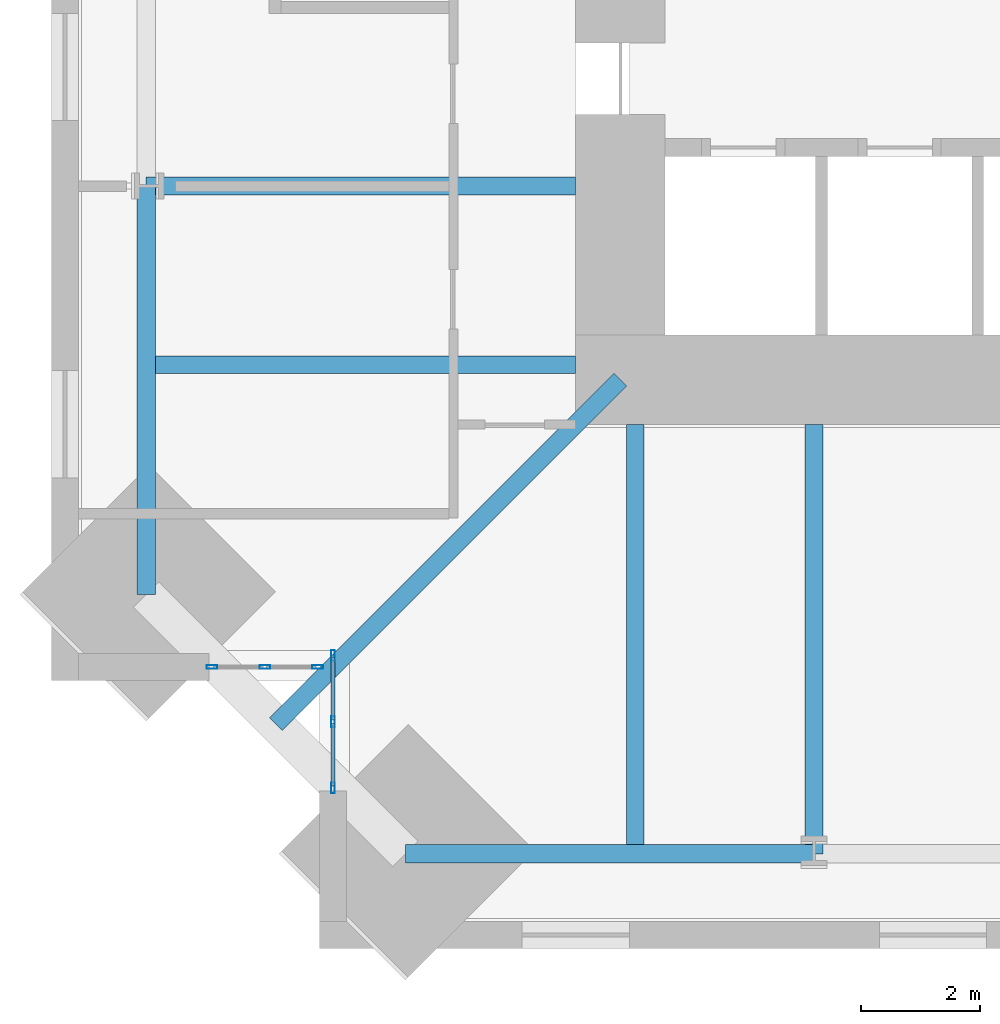
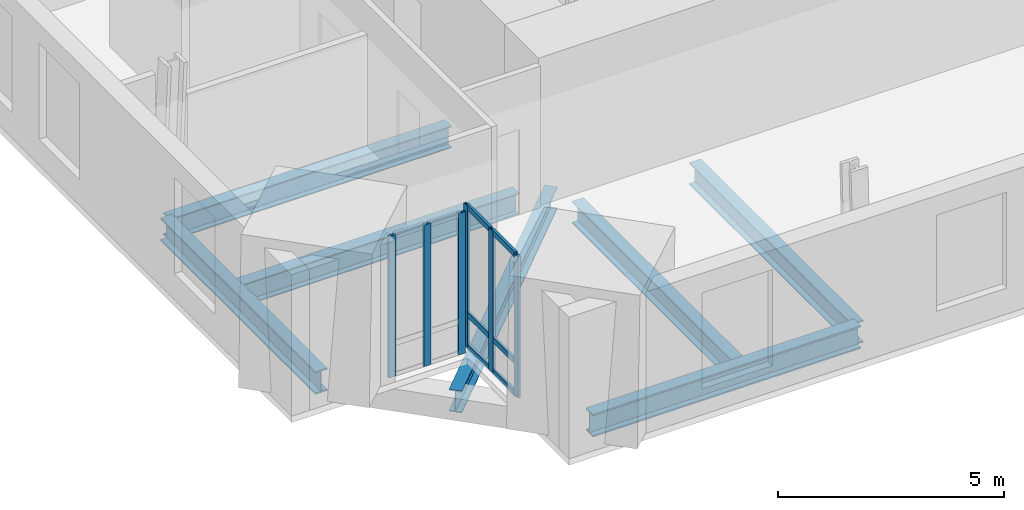
# One storey, part 2 of 15: 12 members, 7 beams, 2 elements without a shape of their own.
"""IFC4 building model written with IfcOpenShell, lengths in metres."""

from ifc_helpers import new_model, si_unit, direction, frame, origin, origin_2d, place, context, subcontext, project, spatial, hollow_rectangle, i_section, extrude, material, material_profile, profile_set, type_object, element, aggregate, save


model = new_model("IFC4")

# Units and contexts
model_context = context("Model", 3, precision=1e-05, world=origin(), true_north=direction((0.0, 1.0)))
body_context = subcontext(model_context, "Body", "Model", "MODEL_VIEW")
ifc_project = project(units=[si_unit("LENGTHUNIT", "METRE"), si_unit("AREAUNIT", "SQUARE_METRE"), si_unit("VOLUMEUNIT", "CUBIC_METRE"), si_unit("PLANEANGLEUNIT", "RADIAN"), si_unit("MASSUNIT", "GRAM", prefix="KILO")], contexts=[model_context])

# Site, building, storey
site_placement = place(None, origin())
site = spatial("IfcSite", under=ifc_project, at=site_placement, CompositionType="ELEMENT")
building_placement = place(site_placement, origin())
building = spatial("IfcBuilding", under=site, at=building_placement, Name="Peilmerk Tower", CompositionType="ELEMENT")
storey_placement = place(building_placement, frame((0.0, 0.0, 289.800048828125)))
storey = spatial("IfcBuildingStorey", under=building, at=storey_placement, Name="L65", CompositionType="ELEMENT", Elevation=289.800048828125)

# Beams
ifc_material_1 = material(Name="Steel S355", Category="steel")
ifc_material_profile_1 = material_profile(ifc_material_1, i_section(OverallWidth=0.300048828125, OverallDepth=0.590087890625, WebThickness=0.012939453125, FlangeThickness=0.02490234375, at=origin_2d()), Name="HEA 600")
ifc_profile_set_1 = profile_set([ifc_material_profile_1], Name="Steel S355")
beam_type_1 = type_object("IfcBeamType", Name="B27 HEA 600 floor beam", PredefinedType="BEAM", material=ifc_profile_set_1)
for number, where, z_axis, x_axis, name in (
    (1, (-11.0, -12.0, -0.465087890625), (0.0, -1.0, 0.0), (1.0, 0.0, 0.0), "Floor beam L65"),
    (2, (-8.0, -12.0, -0.465087890625), (0.0, -1.0, 0.0), (1.0, 0.0, 0.0), "Floor beam L65"),
    (3, (-12.0, -8.0, -0.465087890625), (-1.0, 0.0, 0.0), (0.0, -1.0, 0.0), "Floor beam L65"),
    (4, (-12.0, -11.0, -0.465087890625), (-1.0, 0.0, 0.0), (0.0, -1.0, 0.0), "Floor beam L65"),
):
    element("IfcBeam", number, at=place(storey_placement, frame(where, z_axis=z_axis, x_axis=x_axis)), inside=storey, type_object=beam_type_1, Name=name, PredefinedType="BEAM", context=body_context, shape_type="SweptSolid", body=[
        extrude(i_section(OverallWidth=0.300048828125, OverallDepth=0.590087890625, WebThickness=0.012939453125, FlangeThickness=0.02490234375, at=origin_2d()), origin(), (0.0, 0.0, 1.0), 7.211181640625),
    ])
beam_placement = place(storey_placement, frame((-11.25, -11.25, -0.465087890625), z_axis=(-0.707106781187, -0.707106781187, 0.0), x_axis=(0.707106781187, -0.707106781187, 0.0)))
element("IfcBeam", 5, at=beam_placement, inside=storey, type_object=beam_type_1, Name="Corner girder L65", PredefinedType="BEAM", context=body_context, shape_type="SweptSolid", body=[
    extrude(i_section(OverallWidth=0.300048828125, OverallDepth=0.590087890625, WebThickness=0.012939453125, FlangeThickness=0.02490234375, at=origin_2d()), origin(), (0.0, 0.0, 1.0), 8.18310546875),
])
ifc_material_profile_2 = material_profile(ifc_material_1, i_section(OverallWidth=0.304931640625, OverallDepth=0.6201171875, WebThickness=0.02099609375, FlangeThickness=0.0400390625, at=origin_2d()), Name="HEM 600")
ifc_profile_set_2 = profile_set([ifc_material_profile_2], Name="Steel S355")
beam_type_2 = type_object("IfcBeamType", Name="B31 HEM 600 edge beam", PredefinedType="SPANDREL", material=ifc_profile_set_2)
for number, where, z_axis, x_axis, name in (
    (6, (-14.861328125, -19.211181640625, -0.47998046875), (1.0, 0.0, 0.0), (0.0, 1.0, 0.0), "Edge beam L65"),
    (7, (-19.211181640625, -8.0, -0.47998046875), (0.0, -1.0, 0.0), (1.0, 0.0, 0.0), "Edge beam L65"),
):
    element("IfcBeam", number, at=place(storey_placement, frame(where, z_axis=z_axis, x_axis=x_axis)), inside=storey, type_object=beam_type_2, Name=name, PredefinedType="SPANDREL", context=body_context, shape_type="SweptSolid", body=[
        extrude(i_section(OverallWidth=0.304931640625, OverallDepth=0.6201171875, WebThickness=0.02099609375, FlangeThickness=0.0400390625, at=origin_2d()), origin(), (0.0, 0.0, 1.0), 6.861328125),
    ])

# Curtain wall, members
ifc_material_2 = material(Name="Aluminium stick curtain wall", Category="aluminium")
curtain_wall_type = type_object("IfcCurtainWallType", Name="CW4 stick curtain wall, 2250 module", PredefinedType="NOTDEFINED", material=ifc_material_2)
curtain_wall_1_placement = place(storey_placement, origin())
curtain_wall_1 = element("IfcCurtainWall", 8, at=curtain_wall_1_placement, inside=storey, type_object=curtain_wall_type, Name="Curtain wall CW4 SWA L65", PredefinedType="NOTDEFINED")
ifc_material_3 = material(Name="Aluminium EN AW-6063 T6", Category="aluminium")
ifc_material_profile_3 = material_profile(ifc_material_3, hollow_rectangle(XDim=0.06494140625, YDim=0.179931640625, WallThickness=0.0029296875, at=origin_2d()), Name="AL 180x65x3")
ifc_profile_set_3 = profile_set([ifc_material_profile_3], Name="Aluminium EN AW-6063 T6")
member_type_1 = type_object("IfcMemberType", Name="CW4-M AL 180x65x3 mullion", PredefinedType="MULLION", material=ifc_profile_set_3)
member_1_placement = place(storey_placement, frame((-16.074951171875, -15.882568359375, 0.0), z_axis=(0.0, 0.0, 1.0), x_axis=(1.0, 0.0, 0.0)))
member_1 = element("IfcMember", 9, at=member_1_placement, type_object=member_type_1, Name="CW4 mullion 1", PredefinedType="MULLION", context=body_context, shape_type="SweptSolid", body=[
    extrude(hollow_rectangle(XDim=0.06494140625, YDim=0.179931640625, WallThickness=0.0029296875, at=origin_2d()), origin(), (0.0, 0.0, 1.0), 3.829833984375),
])
member_2_placement = place(storey_placement, frame((-16.074951171875, -16.994384765625, 0.0), z_axis=(0.0, 0.0, 1.0), x_axis=(1.0, 0.0, 0.0)))
member_2 = element("IfcMember", 10, at=member_2_placement, type_object=member_type_1, Name="CW4 mullion 2", PredefinedType="MULLION", context=body_context, shape_type="SweptSolid", body=[
    extrude(hollow_rectangle(XDim=0.06494140625, YDim=0.179931640625, WallThickness=0.0029296875, at=origin_2d()), origin(), (0.0, 0.0, 1.0), 3.829833984375),
])
member_3_placement = place(storey_placement, frame((-16.074951171875, -18.106201171875, 0.0), z_axis=(0.0, 0.0, 1.0), x_axis=(1.0, 0.0, 0.0)))
member_3 = element("IfcMember", 11, at=member_3_placement, type_object=member_type_1, Name="CW4 mullion 3", PredefinedType="MULLION", context=body_context, shape_type="SweptSolid", body=[
    extrude(hollow_rectangle(XDim=0.06494140625, YDim=0.179931640625, WallThickness=0.0029296875, at=origin_2d()), origin(), (0.0, 0.0, 1.0), 3.829833984375),
])

curtain_wall_2_placement = place(storey_placement, origin())
curtain_wall_2 = element("IfcCurtainWall", 12, at=curtain_wall_2_placement, inside=storey, type_object=curtain_wall_type, Name="Curtain wall CW4 SWB L65", PredefinedType="NOTDEFINED")
member_4_placement = place(storey_placement, frame((-16.33251953125, -16.074951171875, 0.0), z_axis=(0.0, 0.0, 1.0), x_axis=(0.0, -1.0, 0.0)))
member_4 = element("IfcMember", 13, at=member_4_placement, type_object=member_type_1, Name="CW4 mullion 1", PredefinedType="MULLION", context=body_context, shape_type="SweptSolid", body=[
    extrude(hollow_rectangle(XDim=0.06494140625, YDim=0.179931640625, WallThickness=0.0029296875, at=origin_2d()), origin(), (0.0, 0.0, 1.0), 3.829833984375),
])
member_5_placement = place(storey_placement, frame((-17.21923828125, -16.074951171875, 0.0), z_axis=(0.0, 0.0, 1.0), x_axis=(0.0, -1.0, 0.0)))
member_5 = element("IfcMember", 14, at=member_5_placement, type_object=member_type_1, Name="CW4 mullion 2", PredefinedType="MULLION", context=body_context, shape_type="SweptSolid", body=[
    extrude(hollow_rectangle(XDim=0.06494140625, YDim=0.179931640625, WallThickness=0.0029296875, at=origin_2d()), origin(), (0.0, 0.0, 1.0), 3.829833984375),
])
member_6_placement = place(storey_placement, frame((-18.106201171875, -16.074951171875, 0.0), z_axis=(0.0, 0.0, 1.0), x_axis=(0.0, -1.0, 0.0)))
member_6 = element("IfcMember", 15, at=member_6_placement, type_object=member_type_1, Name="CW4 mullion 3", PredefinedType="MULLION", context=body_context, shape_type="SweptSolid", body=[
    extrude(hollow_rectangle(XDim=0.06494140625, YDim=0.179931640625, WallThickness=0.0029296875, at=origin_2d()), origin(), (0.0, 0.0, 1.0), 3.829833984375),
])
aggregate(curtain_wall_2, [member_4, member_5, member_6])

# Member
ifc_material_profile_4 = material_profile(ifc_material_3, hollow_rectangle(XDim=0.06494140625, YDim=0.14990234375, WallThickness=0.0029296875, at=origin_2d()), Name="AL 150x65x3")
ifc_profile_set_4 = profile_set([ifc_material_profile_4], Name="Aluminium EN AW-6063 T6")
member_type_2 = type_object("IfcMemberType", Name="CW4-T AL 150x65x3 transom", PredefinedType="USERDEFINED", material=ifc_profile_set_4)
member_7_placement = place(storey_placement, frame((-16.074951171875, -15.9150390625, 0.032470703125), z_axis=(0.0, -1.0, 0.0), x_axis=(1.0, 0.0, 0.0)))
member_7 = element("IfcMember", 16, at=member_7_placement, type_object=member_type_2, Name="CW4 transom 1.1", ObjectType="TRANSOM", PredefinedType="USERDEFINED", context=body_context, shape_type="SweptSolid", body=[
    extrude(hollow_rectangle(XDim=0.06494140625, YDim=0.14990234375, WallThickness=0.0029296875, at=origin_2d()), origin(), (0.0, 0.0, 1.0), 1.046875),
])

member_8_placement = place(storey_placement, frame((-16.074951171875, -15.9150390625, 0.89990234375), z_axis=(0.0, -1.0, 0.0), x_axis=(1.0, 0.0, 0.0)))
member_8 = element("IfcMember", 17, at=member_8_placement, type_object=member_type_2, Name="CW4 transom 1.2", ObjectType="TRANSOM", PredefinedType="USERDEFINED", context=body_context, shape_type="SweptSolid", body=[
    extrude(hollow_rectangle(XDim=0.06494140625, YDim=0.14990234375, WallThickness=0.0029296875, at=origin_2d()), origin(), (0.0, 0.0, 1.0), 1.046875),
])

member_9_placement = place(storey_placement, frame((-16.074951171875, -15.9150390625, 3.79736328125), z_axis=(0.0, -1.0, 0.0), x_axis=(1.0, 0.0, 0.0)))
member_9 = element("IfcMember", 18, at=member_9_placement, type_object=member_type_2, Name="CW4 transom 1.3", ObjectType="TRANSOM", PredefinedType="USERDEFINED", context=body_context, shape_type="SweptSolid", body=[
    extrude(hollow_rectangle(XDim=0.06494140625, YDim=0.14990234375, WallThickness=0.0029296875, at=origin_2d()), origin(), (0.0, 0.0, 1.0), 1.046875),
])

member_10_placement = place(storey_placement, frame((-16.074951171875, -17.02685546875, 0.032470703125), z_axis=(0.0, -1.0, 0.0), x_axis=(1.0, 0.0, 0.0)))
member_10 = element("IfcMember", 19, at=member_10_placement, type_object=member_type_2, Name="CW4 transom 2.1", ObjectType="TRANSOM", PredefinedType="USERDEFINED", context=body_context, shape_type="SweptSolid", body=[
    extrude(hollow_rectangle(XDim=0.06494140625, YDim=0.14990234375, WallThickness=0.0029296875, at=origin_2d()), origin(), (0.0, 0.0, 1.0), 1.046875),
])

member_11_placement = place(storey_placement, frame((-16.074951171875, -17.02685546875, 0.89990234375), z_axis=(0.0, -1.0, 0.0), x_axis=(1.0, 0.0, 0.0)))
member_11 = element("IfcMember", 20, at=member_11_placement, type_object=member_type_2, Name="CW4 transom 2.2", ObjectType="TRANSOM", PredefinedType="USERDEFINED", context=body_context, shape_type="SweptSolid", body=[
    extrude(hollow_rectangle(XDim=0.06494140625, YDim=0.14990234375, WallThickness=0.0029296875, at=origin_2d()), origin(), (0.0, 0.0, 1.0), 1.046875),
])

member_12_placement = place(storey_placement, frame((-16.074951171875, -17.02685546875, 3.79736328125), z_axis=(0.0, -1.0, 0.0), x_axis=(1.0, 0.0, 0.0)))
member_12 = element("IfcMember", 21, at=member_12_placement, type_object=member_type_2, Name="CW4 transom 2.3", ObjectType="TRANSOM", PredefinedType="USERDEFINED", context=body_context, shape_type="SweptSolid", body=[
    extrude(hollow_rectangle(XDim=0.06494140625, YDim=0.14990234375, WallThickness=0.0029296875, at=origin_2d()), origin(), (0.0, 0.0, 1.0), 1.046875),
])

aggregate(curtain_wall_1, [member_1, member_2, member_3, member_7, member_8, member_9, member_10, member_11, member_12])

save(model, "model.ifc")
